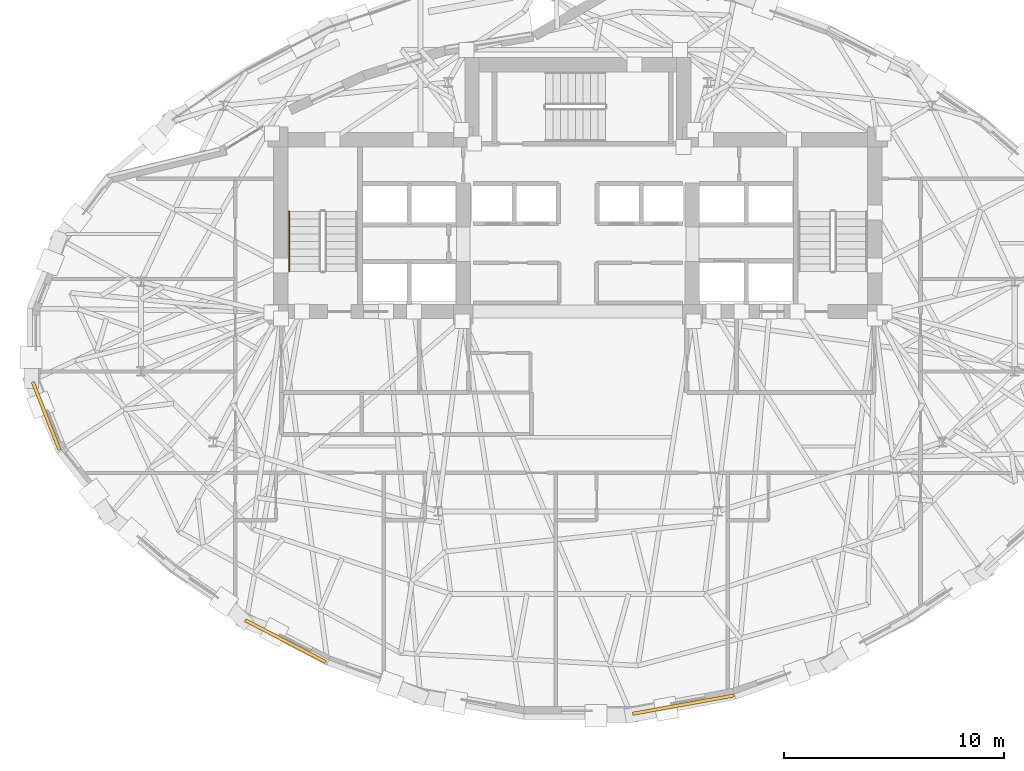
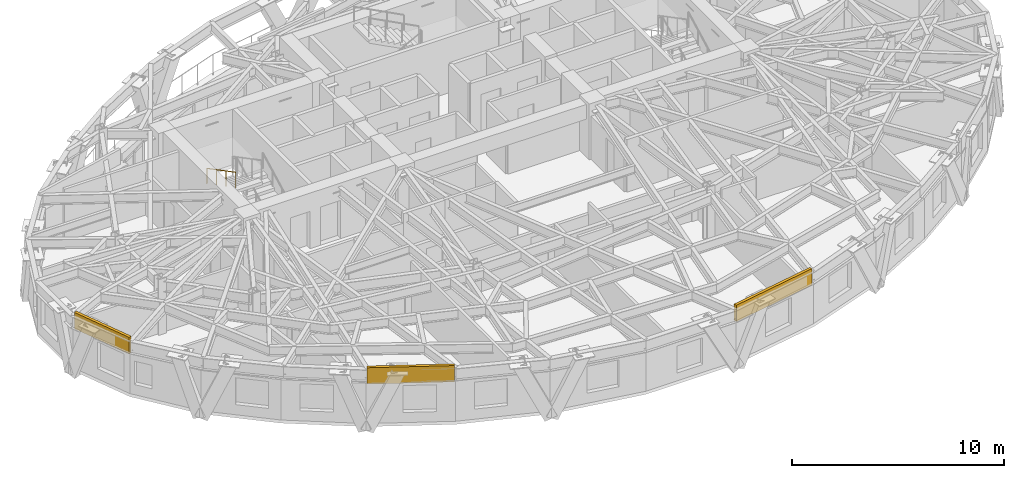
# One storey, part 12 of 14: 3 coverings, 1 railing.
"""IFC4 building model written with IfcOpenShell, lengths in metres."""

from ifc_helpers import new_model, si_unit, direction, frame, origin, origin_2d, place, context, subcontext, project, spatial, rectangle, circle, extrude, material, layer, layer_set, type_object, element, save


model = new_model("IFC4")

# Units and contexts
model_context = context("Model", 3, precision=1e-05, world=origin(), true_north=direction((0.0, 1.0)))
body_context = subcontext(model_context, "Body", "Model", "MODEL_VIEW")
ifc_project = project(units=[si_unit("LENGTHUNIT", "METRE"), si_unit("AREAUNIT", "SQUARE_METRE"), si_unit("VOLUMEUNIT", "CUBIC_METRE"), si_unit("PLANEANGLEUNIT", "RADIAN"), si_unit("MASSUNIT", "GRAM", prefix="KILO")], contexts=[model_context])

# Site, building, storey
site_placement = place(None, origin())
site = spatial("IfcSite", under=ifc_project, at=site_placement, CompositionType="ELEMENT")
building_placement = place(site_placement, origin())
building = spatial("IfcBuilding", under=site, at=building_placement, Name="Keldmark Tower", CompositionType="ELEMENT")
storey_placement = place(building_placement, frame((0.0, 0.0, 175.800048828125)))
storey = spatial("IfcBuildingStorey", under=building, at=storey_placement, Name="L48", CompositionType="ELEMENT", Elevation=175.800048828125)

# Coverings
ifc_material_1 = material(Name="Honed Kasota Buff Dolomitic Limestone", Category="masonry")
ifc_layer = layer(ifc_material_1, 0.074951171875)
ifc_layer_set = layer_set([ifc_layer], Name="Honed Kasota Buff Dolomitic Limestone")
covering_type = type_object("IfcCoveringType", Name="Kasota Buff Limestone Spandrel Cladding Band", PredefinedType="CLADDING", material=ifc_layer_set)
covering_1_placement = place(storey_placement, frame((-24.126220703125, -3.21630859375, 2.239013671875), z_axis=(0.0, 0.0, 1.0), x_axis=(0.365396727067, -0.930851885022, 0.0)))
element("IfcCovering", 1, at=covering_1_placement, inside=storey, type_object=covering_type, Name="L48 Kasota Limestone Spandrel Band 17", PredefinedType="CLADDING", context=body_context, shape_type="SweptSolid", body=[
    extrude(rectangle(XDim=3.311279296875, YDim=0.14990234375, at=origin_2d()), origin(), (0.0, 0.0, 1.0), 0.94091796875),
])
covering_2_placement = place(storey_placement, frame((-13.2666015625, -13.43212890625, 2.239013671875), z_axis=(0.0, 0.0, 1.0), x_axis=(0.8870994662, -0.461578310871, 0.0)))
element("IfcCovering", 2, at=covering_2_placement, inside=storey, type_object=covering_type, Name="L48 Kasota Limestone Spandrel Band 21", PredefinedType="CLADDING", context=body_context, shape_type="SweptSolid", body=[
    extrude(rectangle(XDim=4.115478515625, YDim=0.14990234375, at=origin_2d()), origin(), (0.0, 0.0, 1.0), 0.94091796875),
])
covering_3_placement = place(storey_placement, frame((4.7841796875, -16.31640625, 2.239013671875), z_axis=(0.0, 0.0, 1.0), x_axis=(0.984115148132, 0.177531335871, 0.0)))
element("IfcCovering", 3, at=covering_3_placement, inside=storey, type_object=covering_type, Name="L48 Kasota Limestone Spandrel Band 25", PredefinedType="CLADDING", context=body_context, shape_type="SweptSolid", body=[
    extrude(rectangle(XDim=4.66748046875, YDim=0.14990234375, at=origin_2d()), origin(), (0.0, 0.0, 1.0), 0.94091796875),
])

# Railing
ifc_material_2 = material(Name="Stainless Steel AISI 316L", Category="steel")
railing_type = type_object("IfcRailingType", Name="Stainless Steel Stair Handrail 900 mm", PredefinedType="HANDRAIL", material=ifc_material_2)
railing_placement = place(storey_placement, frame((-13.10009765625, 6.070068359375, 1.77783203125)))
element("IfcRailing", 4, at=railing_placement, inside=storey, type_object=railing_type, Name="L48 ST1 stair handrail 2", PredefinedType="HANDRAIL", context=body_context, shape_type="SweptSolid", body=[
    extrude(circle(Radius=0.02392578125, at=origin_2d()), frame((0.0, 0.0, 0.8759765625), z_axis=(0.0, -0.886183135912, 0.463335137482), x_axis=(1.0, 0.0, 0.0)), (0.0, 0.0, 1.0), 3.0693359375),
    extrude(circle(Radius=0.02099609375, at=origin_2d()), origin(), (0.0, 0.0, 1.0), 0.851806640625),
    extrude(circle(Radius=0.02099609375, at=origin_2d()), frame((0.0, -0.90673828125, 0.47412109375)), (0.0, 0.0, 1.0), 0.851806640625),
    extrude(circle(Radius=0.02099609375, at=origin_2d()), frame((0.0, -1.813232421875, 0.947998046875)), (0.0, 0.0, 1.0), 0.851806640625),
    extrude(circle(Radius=0.02099609375, at=origin_2d()), frame((0.0, -2.719970703125, 1.422119140625)), (0.0, 0.0, 1.0), 0.851806640625),
])

save(model, "model.ifc")
